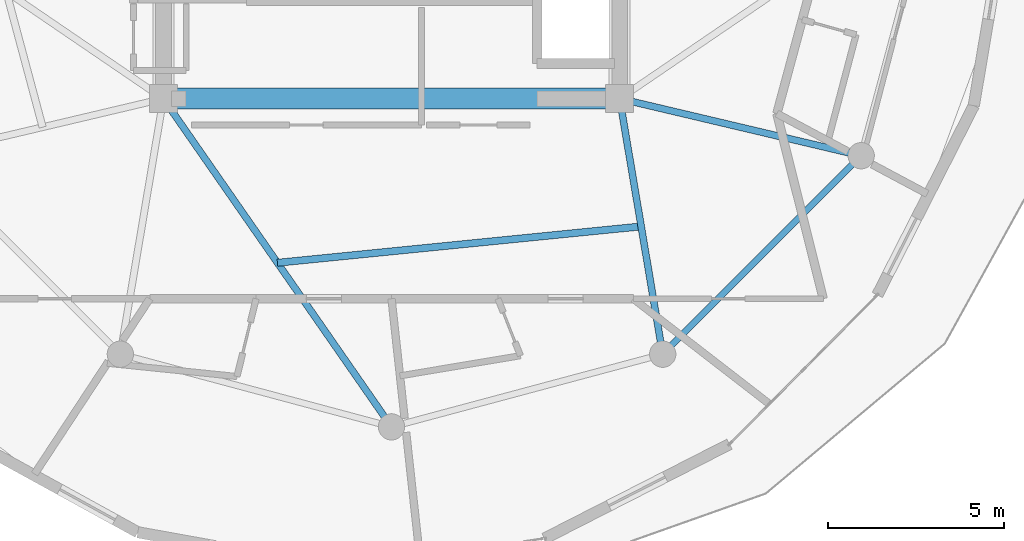
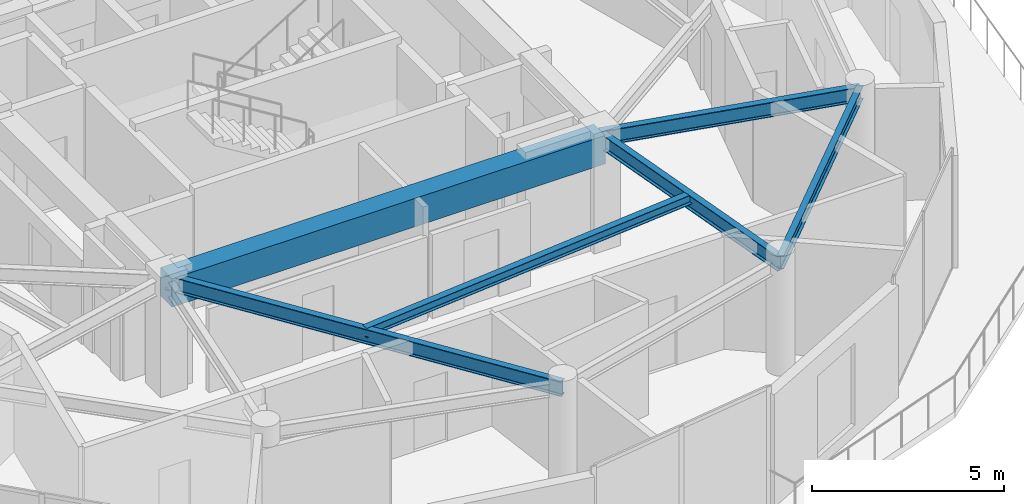
# One storey, part 6 of 23: 6 beams.
"""IFC4 building model written with IfcOpenShell, lengths in metres."""

from ifc_helpers import new_model, si_unit, direction, frame, origin, origin_2d, place, context, subcontext, project, spatial, rectangle, i_section, extrude, material, material_profile, profile_set, type_object, element, save


model = new_model("IFC4")

# Units and contexts
model_context = context("Model", 3, precision=1e-05, world=origin(), true_north=direction((0.0, 1.0)))
body_context = subcontext(model_context, "Body", "Model", "MODEL_VIEW")
ifc_project = project(units=[si_unit("LENGTHUNIT", "METRE"), si_unit("AREAUNIT", "SQUARE_METRE"), si_unit("VOLUMEUNIT", "CUBIC_METRE"), si_unit("PLANEANGLEUNIT", "RADIAN"), si_unit("MASSUNIT", "GRAM", prefix="KILO")], contexts=[model_context])

# Site, building, storey
site_placement = place(None, origin())
site = spatial("IfcSite", under=ifc_project, at=site_placement, CompositionType="ELEMENT")
building_placement = place(site_placement, origin())
building = spatial("IfcBuilding", under=site, at=building_placement, Name="Solvirekh Grand Hotel", CompositionType="ELEMENT")
storey_placement = place(building_placement, frame((0.0, 0.0, 282.0)))
storey = spatial("IfcBuildingStorey", under=building, at=storey_placement, Name="L73", CompositionType="ELEMENT", Elevation=282.0)

# Beams
ifc_material_1 = material(Name="Concrete C50/60", Category="concrete")
ifc_material_profile_1 = material_profile(ifc_material_1, rectangle(XDim=0.60009765625, YDim=0.89990234375, at=origin_2d()), Name="RC BEAM 600X900")
ifc_profile_set_1 = profile_set([ifc_material_profile_1], Name="Concrete C50/60")
beam_type_1 = type_object("IfcBeamType", Name="Beam_Core_RC900", PredefinedType="BEAM", material=ifc_profile_set_1)
beam_1_placement = place(storey_placement, frame((-6.5, -6.10009765625, 3.1201171875), z_axis=(1.0, 0.0, 0.0), x_axis=(0.0, 1.0, 0.0)))
element("IfcBeam", 1, at=beam_1_placement, inside=storey, type_object=beam_type_1, Name="L73 core coupling ring beam 1", PredefinedType="BEAM", context=body_context, shape_type="SweptSolid", body=[
    extrude(rectangle(XDim=0.60009765625, YDim=0.89990234375, at=origin_2d()), origin(), (0.0, 0.0, 1.0), 13.0),
])
ifc_material_2 = material(Name="Steel S355", Category="steel")
ifc_material_profile_2 = material_profile(ifc_material_2, i_section(OverallWidth=0.194091796875, OverallDepth=0.468994140625, WebThickness=0.010986328125, FlangeThickness=0.01904296875, FilletRadius=0.012939453125, at=origin_2d()), Name="W460X106")
ifc_profile_set_2 = profile_set([ifc_material_profile_2], Name="Steel S355")
beam_type_2 = type_object("IfcBeamType", Name="Beam_Radial_W460H", PredefinedType="BEAM", material=ifc_profile_set_2)
beam_2_placement = place(storey_placement, frame((-6.5, -6.10009765625, 3.3349609375), z_axis=(0.570813192472, -0.821079959139, 0.0), x_axis=(0.821079959139, 0.570813192472, 0.0)))
element("IfcBeam", 2, at=beam_2_placement, inside=storey, type_object=beam_type_2, Name="L73 radial floor beam R10", PredefinedType="BEAM", context=body_context, shape_type="SweptSolid", body=[
    extrude(i_section(OverallWidth=0.194091796875, OverallDepth=0.468994140625, WebThickness=0.010986328125, FlangeThickness=0.01904296875, FilletRadius=0.012939453125, at=origin_2d()), origin(), (0.0, 0.0, 1.0), 11.38720703125),
])
beam_3_placement = place(storey_placement, frame((6.5, -6.10009765625, 3.3349609375), z_axis=(0.165954049106, -0.986133486697, 0.0), x_axis=(0.986133486697, 0.165954049106, 0.0)))
element("IfcBeam", 3, at=beam_3_placement, inside=storey, type_object=beam_type_2, Name="L73 radial floor beam R11", PredefinedType="BEAM", context=body_context, shape_type="SweptSolid", body=[
    extrude(i_section(OverallWidth=0.194091796875, OverallDepth=0.468994140625, WebThickness=0.010986328125, FlangeThickness=0.01904296875, FilletRadius=0.012939453125, at=origin_2d()), origin(), (0.0, 0.0, 1.0), 7.382080078125),
])
beam_4_placement = place(storey_placement, frame((6.5, -6.10009765625, 3.3349609375), z_axis=(0.973221147544, -0.229870828888, 0.0), x_axis=(0.229870828888, 0.973221147544, 0.0)))
element("IfcBeam", 4, at=beam_4_placement, inside=storey, type_object=beam_type_2, Name="L73 radial floor beam R12", PredefinedType="BEAM", context=body_context, shape_type="SweptSolid", body=[
    extrude(i_section(OverallWidth=0.194091796875, OverallDepth=0.468994140625, WebThickness=0.010986328125, FlangeThickness=0.01904296875, FilletRadius=0.012939453125, at=origin_2d()), origin(), (0.0, 0.0, 1.0), 7.069091796875),
])
ifc_material_profile_3 = material_profile(ifc_material_2, i_section(OverallWidth=0.202880859375, OverallDepth=0.302978515625, WebThickness=0.008056640625, FlangeThickness=0.012939453125, FilletRadius=0.010009765625, at=origin_2d()), Name="W310X60")
ifc_profile_set_3 = profile_set([ifc_material_profile_3], Name="Steel S355")
beam_type_3 = type_object("IfcBeamType", Name="Joist_Floor_W310", PredefinedType="JOIST", material=ifc_profile_set_3)
beam_5_placement = place(storey_placement, frame((-3.25, -10.77490234375, 3.41796875), z_axis=(0.995049485097, 0.099380693338, 0.0), x_axis=(-0.099380693338, 0.995049485097, 0.0)))
element("IfcBeam", 5, at=beam_5_placement, inside=storey, type_object=beam_type_3, Name="L73 secondary composite floor joist 10", PredefinedType="JOIST", context=body_context, shape_type="SweptSolid", body=[
    extrude(i_section(OverallWidth=0.202880859375, OverallDepth=0.302978515625, WebThickness=0.008056640625, FlangeThickness=0.012939453125, FilletRadius=0.010009765625, at=origin_2d()), origin(), (0.0, 0.0, 1.0), 10.41357421875),
])
ifc_material_profile_4 = material_profile(ifc_material_2, i_section(OverallWidth=0.180908203125, OverallDepth=0.4169921875, WebThickness=0.010009765625, FlangeThickness=0.01611328125, FilletRadius=0.011962890625, at=origin_2d()), Name="W410X85")
ifc_profile_set_4 = profile_set([ifc_material_profile_4], Name="Steel S355")
beam_type_4 = type_object("IfcBeamType", Name="Spandrel_Ring_W410", PredefinedType="SPANDREL", material=ifc_profile_set_4)
beam_6_placement = place(storey_placement, frame((7.72509765625, -13.3798828125, 3.361083984375), z_axis=(0.707106781187, 0.707106781187, 0.0), x_axis=(-0.707106781187, 0.707106781187, 0.0)))
element("IfcBeam", 6, at=beam_6_placement, inside=storey, type_object=beam_type_4, Name="L73 perimeter spandrel beam 11", PredefinedType="SPANDREL", context=body_context, shape_type="SweptSolid", body=[
    extrude(i_section(OverallWidth=0.180908203125, OverallDepth=0.4169921875, WebThickness=0.010009765625, FlangeThickness=0.01611328125, FilletRadius=0.011962890625, at=origin_2d()), origin(), (0.0, 0.0, 1.0), 7.9970703125),
])

save(model, "model.ifc")
